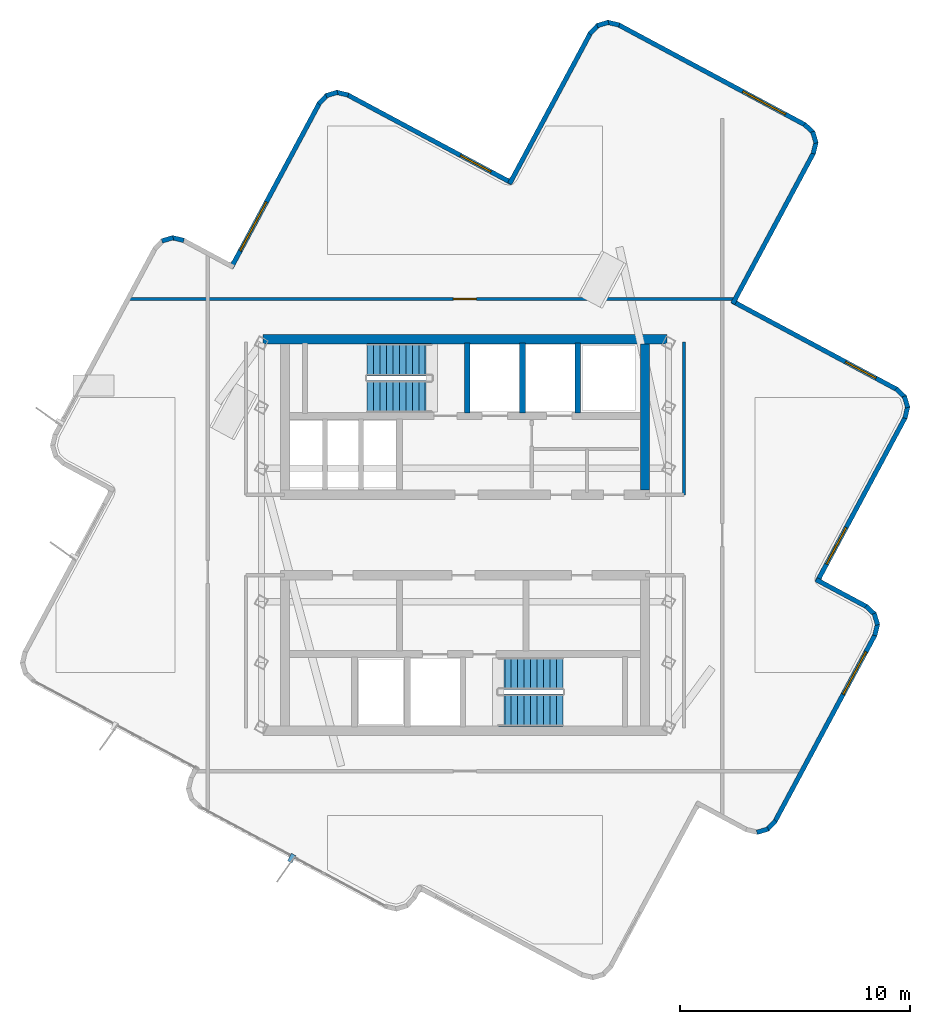
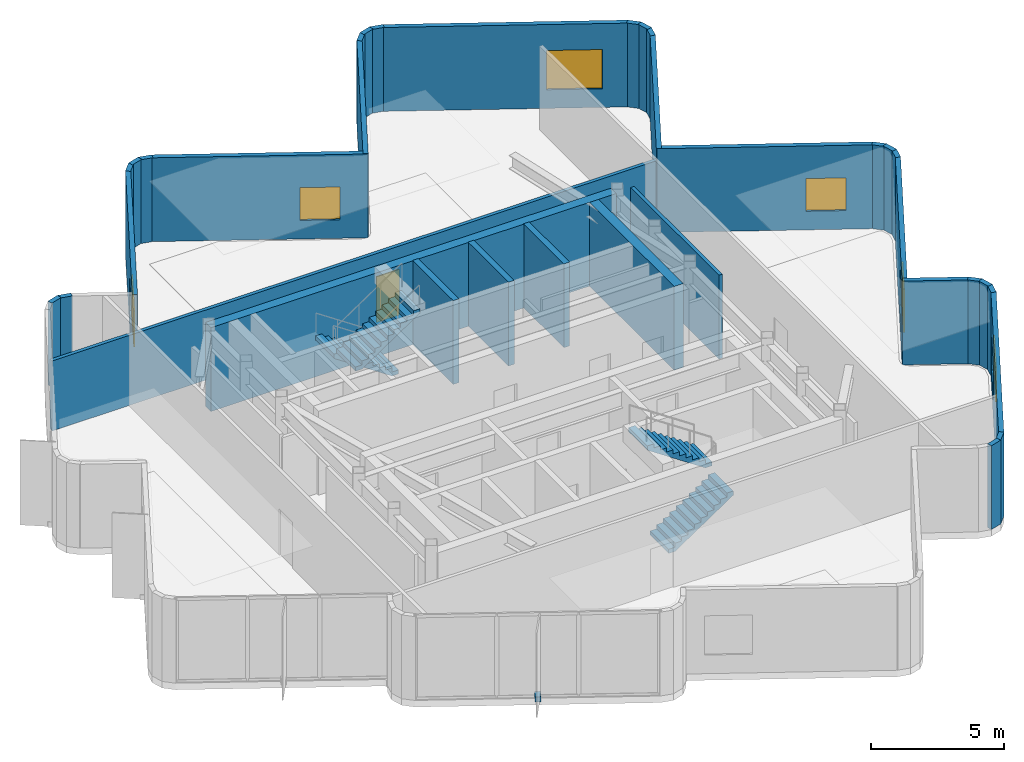
# One storey, part 5 of 9: 35 walls, 6 windows, 4 stair flights, 1 discrete accessory, 1 door, 7 openings, 2 elements without a shape of their own.
"""IFC4 building model written with IfcOpenShell, lengths in metres."""

from ifc_helpers import new_model, si_unit, direction, frame, frame_2d, origin, origin_2d, place, context, subcontext, project, spatial, polyline, rectangle, outline, extrude, material, layer, layer_set, type_object, element, fill, aggregate, save


model = new_model("IFC4")

# Units and contexts
model_context = context("Model", 3, precision=1e-05, world=origin(), true_north=direction((0.0, 1.0)))
body_context = subcontext(model_context, "Body", "Model", "MODEL_VIEW")
ifc_project = project(units=[si_unit("LENGTHUNIT", "METRE"), si_unit("AREAUNIT", "SQUARE_METRE"), si_unit("VOLUMEUNIT", "CUBIC_METRE"), si_unit("PLANEANGLEUNIT", "RADIAN"), si_unit("MASSUNIT", "GRAM", prefix="KILO")], contexts=[model_context])

# Site, building, storey
site_placement = place(None, origin())
site = spatial("IfcSite", under=ifc_project, at=site_placement, CompositionType="ELEMENT")
building_placement = place(site_placement, origin())
building = spatial("IfcBuilding", under=site, at=building_placement, Name="Solmarez Civic Tower", CompositionType="ELEMENT")
storey_placement = place(building_placement, frame((0.0, 0.0, 285.1201171875)))
storey = spatial("IfcBuildingStorey", under=building, at=storey_placement, Name="L77 Crown", CompositionType="ELEMENT", Elevation=285.1201171875)

# Walls
ifc_material_1 = material(Name="Concrete C50/60", Category="concrete")
ifc_layer_1 = layer(ifc_material_1, 0.39990234375)
ifc_layer_set_1 = layer_set([ifc_layer_1], Name="Concrete C50/60")
wall_type_1 = type_object("IfcWallType", Name="WALL-CORE-400", PredefinedType="SHEAR", material=ifc_layer_set_1)
wall_1_placement = place(storey_placement, frame((-8.780029296875, 8.510009765625, 0.0), z_axis=(0.0, 0.0, 1.0), x_axis=(1.0, 0.0, 0.0)))
element("IfcWall", 1, at=wall_1_placement, inside=storey, type_object=wall_type_1, Name="L77 Crown Split-Core Structural Wall NCW-N-L77 Crown", PredefinedType="SHEAR", context=body_context, shape_type="SweptSolid", body=[
    extrude(rectangle(XDim=17.56005859375, YDim=0.39990234375, at=frame_2d((8.780029296875, 0.0))), origin(), (0.0, 0.0, 1.0), 3.83984375),
])
wall_2_placement = place(storey_placement, frame((7.820068359375, 8.31005859375, 0.0), z_axis=(0.0, 0.0, 1.0), x_axis=(0.0, -1.0, 0.0)))
element("IfcWall", 2, at=wall_2_placement, inside=storey, type_object=wall_type_1, Name="L77 Crown Split-Core Structural Wall NCW-E-L77 Crown", PredefinedType="SHEAR", context=body_context, shape_type="SweptSolid", body=[
    extrude(rectangle(XDim=6.360107421875, YDim=0.39990234375, at=frame_2d((3.18017578125, 0.0))), origin(), (0.0, 0.0, 1.0), 3.83984375),
])
ifc_material_2 = material(Name="Precast concrete C40/50", Category="concrete")
ifc_layer_2 = layer(ifc_material_2, 0.199951171875)
ifc_layer_set_2 = layer_set([ifc_layer_2], Name="Precast concrete C40/50")
wall_type_2 = type_object("IfcWallType", Name="WALL-EXT-200", PredefinedType="SOLIDWALL", material=ifc_layer_set_2)
wall_3_placement = place(storey_placement, frame((-13.178955078125, 12.781005859375, 0.0), z_axis=(0.0, 0.0, 1.0), x_axis=(0.957629857582, 0.288001833099, 0.0)))
element("IfcWall", 3, at=wall_3_placement, inside=storey, type_object=wall_type_2, Name="L77 Crown Exterior Precast Wall 26", PredefinedType="SOLIDWALL", context=body_context, shape_type="SweptSolid", body=[
    extrude(rectangle(XDim=0.513671875, YDim=0.199951171875, at=frame_2d((0.2568359375, 0.0))), origin(), (0.0, 0.0, 1.0), 3.83984375),
])
wall_4_placement = place(storey_placement, frame((-12.735107421875, 12.927978515625, 0.0), z_axis=(0.0, 0.0, 1.0), x_axis=(0.973271233355, -0.229658673522, 0.0)))
element("IfcWall", 4, at=wall_4_placement, inside=storey, type_object=wall_type_2, Name="L77 Crown Exterior Precast Wall 27", PredefinedType="SOLIDWALL", context=body_context, shape_type="SweptSolid", body=[
    extrude(rectangle(XDim=0.52734375, YDim=0.199951171875, at=frame_2d((0.263671875, 0.0))), origin(), (0.0, 0.0, 1.0), 3.83984375),
])

# Wall, opening, window
wall_5_placement = place(storey_placement, frame((-10.1708984375, 11.60888671875, 0.0), z_axis=(0.0, 0.0, 1.0), x_axis=(0.472535281242, 0.881311754138, 0.0)))
wall_5 = element("IfcWall", 5, at=wall_5_placement, inside=storey, type_object=wall_type_2, Name="L77 Crown Exterior Precast Wall 31", PredefinedType="SOLIDWALL", context=body_context, shape_type="SweptSolid", body=[
    extrude(rectangle(XDim=8.136962890625, YDim=0.199951171875, at=frame_2d((4.068359375, 0.0))), origin(), (0.0, 0.0, 1.0), 3.83984375),
])
opening_1_placement = place(wall_5_placement, frame((0.85009765625, 0.0, 0.85009765625)))
opening_1 = element("IfcOpeningElement", 6, at=opening_1_placement, cuts=wall_5, Name="Opening W-10", PredefinedType="OPENING", context=body_context, shape_type="SweptSolid", body=[
    extrude(rectangle(XDim=2.39990234375, YDim=1.64990234375, at=frame_2d((1.199951171875, 0.824951171875))), frame((0.0, 0.10986328125, 0.0), z_axis=(0.0, -1.0, 0.0), x_axis=(1.0, 0.0, 0.0)), (0.0, 0.0, 1.0), 0.219970703125),
])
ifc_material_3 = material(Name="Solar Control Bronze-Tinted Insulating Glass", Category="glass")
window_type_1 = type_object("IfcWindowType", Name="WIN-2400X1650", PartitioningType="SINGLE_PANEL", PredefinedType="WINDOW", material=ifc_material_3)
window_1_placement = place(opening_1_placement, origin())
window_1 = element("IfcWindow", 7, at=window_1_placement, inside=storey, type_object=window_type_1, Name="L77 Crown Exterior Facade Window 31", OverallHeight=1.64990234375, OverallWidth=2.39990234375, PartitioningType="SINGLE_PANEL", PredefinedType="WINDOW", context=body_context, shape_type="SweptSolid", body=[
    extrude(rectangle(XDim=2.39990234375, YDim=1.64990234375, at=frame_2d((1.199951171875, 0.824951171875))), frame((0.0, 0.030029296875, 0.0), z_axis=(0.0, -1.0, 0.0), x_axis=(1.0, 0.0, 0.0)), (0.0, 0.0, 1.0), 0.06005859375),
])
fill(opening_1, window_1)

# Walls
wall_6_placement = place(storey_placement, frame((-6.35498046875, 18.739990234375, 0.0), z_axis=(0.0, 0.0, 1.0), x_axis=(0.684079586619, 0.72940737532, 0.0)))
element("IfcWall", 8, at=wall_6_placement, inside=storey, type_object=wall_type_2, Name="L77 Crown Exterior Precast Wall 32", PredefinedType="SOLIDWALL", context=body_context, shape_type="SweptSolid", body=[
    extrude(rectangle(XDim=0.52783203125, YDim=0.199951171875, at=frame_2d((0.263916015625, 0.0))), origin(), (0.0, 0.0, 1.0), 3.83984375),
])
wall_7_placement = place(storey_placement, frame((-6.034912109375, 19.10009765625, 0.0), z_axis=(0.0, 0.0, 1.0), x_axis=(0.957629857582, 0.288001833099, 0.0)))
element("IfcWall", 9, at=wall_7_placement, inside=storey, type_object=wall_type_2, Name="L77 Crown Exterior Precast Wall 33", PredefinedType="SOLIDWALL", context=body_context, shape_type="SweptSolid", body=[
    extrude(rectangle(XDim=0.513671875, YDim=0.199951171875, at=frame_2d((0.2568359375, 0.0))), origin(), (0.0, 0.0, 1.0), 3.83984375),
])
wall_8_placement = place(storey_placement, frame((-5.591064453125, 19.2470703125, 0.0), z_axis=(0.0, 0.0, 1.0), x_axis=(0.973271233355, -0.229658673522, 0.0)))
element("IfcWall", 10, at=wall_8_placement, inside=storey, type_object=wall_type_2, Name="L77 Crown Exterior Precast Wall 34", PredefinedType="SOLIDWALL", context=body_context, shape_type="SweptSolid", body=[
    extrude(rectangle(XDim=0.52734375, YDim=0.199951171875, at=frame_2d((0.263671875, 0.0))), origin(), (0.0, 0.0, 1.0), 3.83984375),
])

# Wall, opening, window
wall_9_placement = place(storey_placement, frame((-5.1240234375, 19.14404296875, 0.0), z_axis=(0.0, 0.0, 1.0), x_axis=(0.881261771031, -0.472628491439, 0.0)))
wall_9 = element("IfcWall", 11, at=wall_9_placement, inside=storey, type_object=wall_type_2, Name="L77 Crown Exterior Precast Wall 35", PredefinedType="SOLIDWALL", context=body_context, shape_type="SweptSolid", body=[
    extrude(rectangle(XDim=8.137451171875, YDim=0.199951171875, at=frame_2d((4.06884765625, 0.0))), origin(), (0.0, 0.0, 1.0), 3.83984375),
])
opening_2_placement = place(wall_9_placement, frame((5.596923828125, 0.0, 0.85009765625)))
opening_2 = element("IfcOpeningElement", 12, at=opening_2_placement, cuts=wall_9, Name="Opening W-14", PredefinedType="OPENING", context=body_context, shape_type="SweptSolid", body=[
    extrude(rectangle(XDim=1.5, YDim=1.5, at=frame_2d((0.75, 0.75))), frame((0.0, 0.10986328125, 0.0), z_axis=(0.0, -1.0, 0.0), x_axis=(1.0, 0.0, 0.0)), (0.0, 0.0, 1.0), 0.219970703125),
])
window_type_2 = type_object("IfcWindowType", Name="WIN-1500X1500", PartitioningType="SINGLE_PANEL", PredefinedType="WINDOW", material=ifc_material_3)
window_2_placement = place(opening_2_placement, origin())
window_2 = element("IfcWindow", 13, at=window_2_placement, inside=storey, type_object=window_type_2, Name="L77 Crown Exterior Facade Window 35", OverallHeight=1.5, OverallWidth=1.5, PartitioningType="SINGLE_PANEL", PredefinedType="WINDOW", context=body_context, shape_type="SweptSolid", body=[
    extrude(rectangle(XDim=1.5, YDim=1.5, at=frame_2d((0.75, 0.75))), frame((0.0, 0.030029296875, 0.0), z_axis=(0.0, -1.0, 0.0), x_axis=(1.0, 0.0, 0.0)), (0.0, 0.0, 1.0), 0.06005859375),
])
fill(opening_2, window_2)

# Walls
wall_10_placement = place(storey_placement, frame((1.93798828125, 15.26611328125, 0.0), z_axis=(0.0, 0.0, 1.0), x_axis=(0.472735695129, 0.881204268346, 0.0)))
element("IfcWall", 14, at=wall_10_placement, inside=storey, type_object=wall_type_2, Name="L77 Crown Exterior Precast Wall 38", PredefinedType="SOLIDWALL", context=body_context, shape_type="SweptSolid", body=[
    extrude(rectangle(XDim=7.44189453125, YDim=0.199951171875, at=frame_2d((3.720947265625, 0.0))), origin(), (0.0, 0.0, 1.0), 3.83984375),
])
wall_11_placement = place(storey_placement, frame((5.427001953125, 21.783935546875, 0.0), z_axis=(0.0, 0.0, 1.0), x_axis=(0.685003440267, 0.728539832008, 0.0)))
element("IfcWall", 15, at=wall_11_placement, inside=storey, type_object=wall_type_2, Name="L77 Crown Exterior Precast Wall 39", PredefinedType="SOLIDWALL", context=body_context, shape_type="SweptSolid", body=[
    extrude(rectangle(XDim=0.527099609375, YDim=0.199951171875, at=frame_2d((0.263671875, 0.0))), origin(), (0.0, 0.0, 1.0), 3.83984375),
])
wall_12_placement = place(storey_placement, frame((5.7470703125, 22.14306640625, 0.0), z_axis=(0.0, 0.0, 1.0), x_axis=(0.957104265458, 0.289743723042, 0.0)))
element("IfcWall", 16, at=wall_12_placement, inside=storey, type_object=wall_type_2, Name="L77 Crown Exterior Precast Wall 40", PredefinedType="SOLIDWALL", context=body_context, shape_type="SweptSolid", body=[
    extrude(rectangle(XDim=0.513916015625, YDim=0.199951171875, at=frame_2d((0.2568359375, 0.0))), origin(), (0.0, 0.0, 1.0), 3.83984375),
])
wall_13_placement = place(storey_placement, frame((6.19091796875, 22.291015625, 0.0), z_axis=(0.0, 0.0, 1.0), x_axis=(0.972855851544, -0.231411953269, 0.0)))
element("IfcWall", 17, at=wall_13_placement, inside=storey, type_object=wall_type_2, Name="L77 Crown Exterior Precast Wall 41", PredefinedType="SOLIDWALL", context=body_context, shape_type="SweptSolid", body=[
    extrude(rectangle(XDim=0.527587890625, YDim=0.199951171875, at=frame_2d((0.263671875, 0.0))), origin(), (0.0, 0.0, 1.0), 3.83984375),
])

# Wall, opening, window
wall_14_placement = place(storey_placement, frame((6.657958984375, 22.18701171875, 0.0), z_axis=(0.0, 0.0, 1.0), x_axis=(0.881325449165, -0.472509738158, 0.0)))
wall_14 = element("IfcWall", 18, at=wall_14_placement, inside=storey, type_object=wall_type_2, Name="L77 Crown Exterior Precast Wall 42", PredefinedType="SOLIDWALL", context=body_context, shape_type="SweptSolid", body=[
    extrude(rectangle(XDim=9.233642578125, YDim=0.199951171875, at=frame_2d((4.61669921875, 0.0))), origin(), (0.0, 0.0, 1.0), 3.83984375),
])
opening_3_placement = place(wall_14_placement, frame((6.152099609375, 0.0, 0.85009765625)))
opening_3 = element("IfcOpeningElement", 19, at=opening_3_placement, cuts=wall_14, Name="Opening W-07", PredefinedType="OPENING", context=body_context, shape_type="SweptSolid", body=[
    extrude(rectangle(XDim=2.10009765625, YDim=1.800048828125, at=frame_2d((1.050048828125, 0.89990234375))), frame((0.0, 0.10986328125, 0.0), z_axis=(0.0, -1.0, 0.0), x_axis=(1.0, 0.0, 0.0)), (0.0, 0.0, 1.0), 0.219970703125),
])
window_type_3 = type_object("IfcWindowType", Name="WIN-2100X1800", PartitioningType="SINGLE_PANEL", PredefinedType="WINDOW", material=ifc_material_3)
window_3_placement = place(opening_3_placement, origin())
window_3 = element("IfcWindow", 20, at=window_3_placement, inside=storey, type_object=window_type_3, Name="L77 Crown Exterior Facade Window 42", OverallHeight=1.800048828125, OverallWidth=2.10009765625, PartitioningType="SINGLE_PANEL", PredefinedType="WINDOW", context=body_context, shape_type="SweptSolid", body=[
    extrude(rectangle(XDim=2.10009765625, YDim=1.800048828125, at=frame_2d((1.050048828125, 0.89990234375))), frame((0.0, 0.030029296875, 0.0), z_axis=(0.0, -1.0, 0.0), x_axis=(1.0, 0.0, 0.0)), (0.0, 0.0, 1.0), 0.06005859375),
])
fill(opening_3, window_3)

# Walls
wall_15_placement = place(storey_placement, frame((14.756103515625, 17.85302734375, 0.0), z_axis=(0.0, 0.0, 1.0), x_axis=(0.728322396775, -0.685234621393, 0.0)))
element("IfcWall", 21, at=wall_15_placement, inside=storey, type_object=wall_type_2, Name="L77 Crown Exterior Precast Wall 43", PredefinedType="SOLIDWALL", context=body_context, shape_type="SweptSolid", body=[
    extrude(rectangle(XDim=0.52685546875, YDim=0.199951171875, at=frame_2d((0.263427734375, 0.0))), origin(), (0.0, 0.0, 1.0), 3.83984375),
])
wall_16_placement = place(storey_placement, frame((15.114990234375, 17.532958984375, 0.0), z_axis=(0.0, 0.0, 1.0), x_axis=(0.287478448092, -0.957787106763, 0.0)))
element("IfcWall", 22, at=wall_16_placement, inside=storey, type_object=wall_type_2, Name="L77 Crown Exterior Precast Wall 44", PredefinedType="SOLIDWALL", context=body_context, shape_type="SweptSolid", body=[
    extrude(rectangle(XDim=0.5146484375, YDim=0.199951171875, at=frame_2d((0.25732421875, 0.0))), origin(), (0.0, 0.0, 1.0), 3.83984375),
])
wall_17_placement = place(storey_placement, frame((15.261962890625, 17.087890625, 0.0), z_axis=(0.0, 0.0, 1.0), x_axis=(-0.22932336749, -0.973350293123, 0.0)))
element("IfcWall", 23, at=wall_17_placement, inside=storey, type_object=wall_type_2, Name="L77 Crown Exterior Precast Wall 45", PredefinedType="SOLIDWALL", context=body_context, shape_type="SweptSolid", body=[
    extrude(rectangle(XDim=0.527099609375, YDim=0.199951171875, at=frame_2d((0.263671875, 0.0))), origin(), (0.0, 0.0, 1.0), 3.83984375),
])
wall_18_placement = place(storey_placement, frame((15.158935546875, 16.62109375, 0.0), z_axis=(0.0, 0.0, 1.0), x_axis=(-0.472539992266, -0.881309228199, 0.0)))
element("IfcWall", 24, at=wall_18_placement, inside=storey, type_object=wall_type_2, Name="L77 Crown Exterior Precast Wall 46", PredefinedType="SOLIDWALL", context=body_context, shape_type="SweptSolid", body=[
    extrude(rectangle(XDim=7.4423828125, YDim=0.199951171875, at=frame_2d((3.72119140625, 0.0))), origin(), (0.0, 0.0, 1.0), 3.83984375),
])

# Wall, opening, window
wall_19_placement = place(storey_placement, frame((11.60888671875, 10.1708984375, 0.0), z_axis=(0.0, 0.0, 1.0), x_axis=(0.881311754138, -0.472535281242, 0.0)))
wall_19 = element("IfcWall", 25, at=wall_19_placement, inside=storey, type_object=wall_type_2, Name="L77 Crown Exterior Precast Wall 49", PredefinedType="SOLIDWALL", context=body_context, shape_type="SweptSolid", body=[
    extrude(rectangle(XDim=8.136962890625, YDim=0.199951171875, at=frame_2d((4.068359375, 0.0))), origin(), (0.0, 0.0, 1.0), 3.83984375),
])
opening_4_placement = place(wall_19_placement, frame((5.596923828125, 0.0, 0.85009765625)))
opening_4 = element("IfcOpeningElement", 26, at=opening_4_placement, cuts=wall_19, Name="Opening W-14", PredefinedType="OPENING", context=body_context, shape_type="SweptSolid", body=[
    extrude(rectangle(XDim=1.5, YDim=1.5, at=frame_2d((0.75, 0.75))), frame((0.0, 0.10986328125, 0.0), z_axis=(0.0, -1.0, 0.0), x_axis=(1.0, 0.0, 0.0)), (0.0, 0.0, 1.0), 0.219970703125),
])
window_4_placement = place(opening_4_placement, origin())
window_4 = element("IfcWindow", 27, at=window_4_placement, inside=storey, type_object=window_type_2, Name="L77 Crown Exterior Facade Window 49", OverallHeight=1.5, OverallWidth=1.5, PartitioningType="SINGLE_PANEL", PredefinedType="WINDOW", context=body_context, shape_type="SweptSolid", body=[
    extrude(rectangle(XDim=1.5, YDim=1.5, at=frame_2d((0.75, 0.75))), frame((0.0, 0.030029296875, 0.0), z_axis=(0.0, -1.0, 0.0), x_axis=(1.0, 0.0, 0.0)), (0.0, 0.0, 1.0), 0.06005859375),
])
fill(opening_4, window_4)

# Walls
wall_20_placement = place(storey_placement, frame((18.739990234375, 6.35498046875, 0.0), z_axis=(0.0, 0.0, 1.0), x_axis=(0.72940737532, -0.684079586619, 0.0)))
element("IfcWall", 28, at=wall_20_placement, inside=storey, type_object=wall_type_2, Name="L77 Crown Exterior Precast Wall 50", PredefinedType="SOLIDWALL", context=body_context, shape_type="SweptSolid", body=[
    extrude(rectangle(XDim=0.52783203125, YDim=0.199951171875, at=frame_2d((0.263916015625, 0.0))), origin(), (0.0, 0.0, 1.0), 3.83984375),
])
wall_21_placement = place(storey_placement, frame((19.10009765625, 6.034912109375, 0.0), z_axis=(0.0, 0.0, 1.0), x_axis=(0.288001833099, -0.957629857582, 0.0)))
element("IfcWall", 29, at=wall_21_placement, inside=storey, type_object=wall_type_2, Name="L77 Crown Exterior Precast Wall 51", PredefinedType="SOLIDWALL", context=body_context, shape_type="SweptSolid", body=[
    extrude(rectangle(XDim=0.513671875, YDim=0.199951171875, at=frame_2d((0.2568359375, 0.0))), origin(), (0.0, 0.0, 1.0), 3.83984375),
])
wall_22_placement = place(storey_placement, frame((19.2470703125, 5.591064453125, 0.0), z_axis=(0.0, 0.0, 1.0), x_axis=(-0.229658673522, -0.973271233355, 0.0)))
element("IfcWall", 30, at=wall_22_placement, inside=storey, type_object=wall_type_2, Name="L77 Crown Exterior Precast Wall 52", PredefinedType="SOLIDWALL", context=body_context, shape_type="SweptSolid", body=[
    extrude(rectangle(XDim=0.52734375, YDim=0.199951171875, at=frame_2d((0.263671875, 0.0))), origin(), (0.0, 0.0, 1.0), 3.83984375),
])

# Wall, opening, window
wall_23_placement = place(storey_placement, frame((19.14404296875, 5.1240234375, 0.0), z_axis=(0.0, 0.0, 1.0), x_axis=(-0.472628491439, -0.881261771031, 0.0)))
wall_23 = element("IfcWall", 31, at=wall_23_placement, inside=storey, type_object=wall_type_2, Name="L77 Crown Exterior Precast Wall 53", PredefinedType="SOLIDWALL", context=body_context, shape_type="SweptSolid", body=[
    extrude(rectangle(XDim=8.137451171875, YDim=0.199951171875, at=frame_2d((4.06884765625, 0.0))), origin(), (0.0, 0.0, 1.0), 3.83984375),
])
opening_5_placement = place(wall_23_placement, frame((5.447021484375, 0.0, 0.85009765625)))
opening_5 = element("IfcOpeningElement", 32, at=opening_5_placement, cuts=wall_23, Name="Opening W-04", PredefinedType="OPENING", context=body_context, shape_type="SweptSolid", body=[
    extrude(rectangle(XDim=1.800048828125, YDim=2.0, at=frame_2d((0.89990234375, 1.0))), frame((0.0, 0.10986328125, 0.0), z_axis=(0.0, -1.0, 0.0), x_axis=(1.0, 0.0, 0.0)), (0.0, 0.0, 1.0), 0.219970703125),
])
window_type_4 = type_object("IfcWindowType", Name="WIN-1800X2000", PartitioningType="SINGLE_PANEL", PredefinedType="WINDOW", material=ifc_material_3)
window_5_placement = place(opening_5_placement, origin())
window_5 = element("IfcWindow", 33, at=window_5_placement, inside=storey, type_object=window_type_4, Name="L77 Crown Exterior Facade Window 53", OverallHeight=2.0, OverallWidth=1.800048828125, PartitioningType="SINGLE_PANEL", PredefinedType="WINDOW", context=body_context, shape_type="SweptSolid", body=[
    extrude(rectangle(XDim=1.800048828125, YDim=2.0, at=frame_2d((0.89990234375, 1.0))), frame((0.0, 0.030029296875, 0.0), z_axis=(0.0, -1.0, 0.0), x_axis=(1.0, 0.0, 0.0)), (0.0, 0.0, 1.0), 0.06005859375),
])
fill(opening_5, window_5)

# Walls
wall_24_placement = place(storey_placement, frame((15.264892578125, -1.93798828125, 0.0), z_axis=(0.0, 0.0, 1.0), x_axis=(0.881265297533, -0.472621915875, 0.0)))
element("IfcWall", 34, at=wall_24_placement, inside=storey, type_object=wall_type_2, Name="L77 Crown Exterior Precast Wall 56", PredefinedType="SOLIDWALL", context=body_context, shape_type="SweptSolid", body=[
    extrude(rectangle(XDim=2.503173828125, YDim=0.199951171875, at=frame_2d((1.25146484375, 0.0))), origin(), (0.0, 0.0, 1.0), 3.83984375),
])
wall_25_placement = place(storey_placement, frame((17.430908203125, -3.092041015625, 0.0), z_axis=(0.0, 0.0, 1.0), x_axis=(0.728771001466, -0.684757495338, 0.0)))
element("IfcWall", 35, at=wall_25_placement, inside=storey, type_object=wall_type_2, Name="L77 Crown Exterior Precast Wall 57", PredefinedType="SOLIDWALL", context=body_context, shape_type="SweptSolid", body=[
    extrude(rectangle(XDim=0.52685546875, YDim=0.199951171875, at=frame_2d((0.263427734375, 0.0))), origin(), (0.0, 0.0, 1.0), 3.83984375),
])
wall_26_placement = place(storey_placement, frame((17.7900390625, -3.412109375, 0.0), z_axis=(0.0, 0.0, 1.0), x_axis=(0.287478448092, -0.957787106763, 0.0)))
element("IfcWall", 36, at=wall_26_placement, inside=storey, type_object=wall_type_2, Name="L77 Crown Exterior Precast Wall 58", PredefinedType="SOLIDWALL", context=body_context, shape_type="SweptSolid", body=[
    extrude(rectangle(XDim=0.5146484375, YDim=0.199951171875, at=frame_2d((0.25732421875, 0.0))), origin(), (0.0, 0.0, 1.0), 3.83984375),
])
wall_27_placement = place(storey_placement, frame((17.93701171875, -3.85693359375, 0.0), z_axis=(0.0, 0.0, 1.0), x_axis=(-0.229658673522, -0.973271233355, 0.0)))
element("IfcWall", 37, at=wall_27_placement, inside=storey, type_object=wall_type_2, Name="L77 Crown Exterior Precast Wall 59", PredefinedType="SOLIDWALL", context=body_context, shape_type="SweptSolid", body=[
    extrude(rectangle(XDim=0.52734375, YDim=0.199951171875, at=frame_2d((0.263671875, 0.0))), origin(), (0.0, 0.0, 1.0), 3.83984375),
])

# Wall, opening, window
wall_28_placement = place(storey_placement, frame((17.833984375, -4.323974609375, 0.0), z_axis=(0.0, 0.0, 1.0), x_axis=(-0.472635928498, -0.881257782429, 0.0)))
wall_28 = element("IfcWall", 38, at=wall_28_placement, inside=storey, type_object=wall_type_2, Name="L77 Crown Exterior Precast Wall 60", PredefinedType="SOLIDWALL", context=body_context, shape_type="SweptSolid", body=[
    extrude(rectangle(XDim=9.2333984375, YDim=0.199951171875, at=frame_2d((4.61669921875, 0.0))), origin(), (0.0, 0.0, 1.0), 3.83984375),
])
opening_6_placement = place(wall_28_placement, frame((0.85009765625, 0.0, 0.85009765625)))
opening_6 = element("IfcOpeningElement", 39, at=opening_6_placement, cuts=wall_28, Name="Opening W-11", PredefinedType="OPENING", context=body_context, shape_type="SweptSolid", body=[
    extrude(rectangle(XDim=2.10009765625, YDim=1.60009765625, at=frame_2d((1.050048828125, 0.800048828125))), frame((0.0, 0.10986328125, 0.0), z_axis=(0.0, -1.0, 0.0), x_axis=(1.0, 0.0, 0.0)), (0.0, 0.0, 1.0), 0.219970703125),
])
window_type_5 = type_object("IfcWindowType", Name="WIN-2100X1600", PartitioningType="SINGLE_PANEL", PredefinedType="WINDOW", material=ifc_material_3)
window_6_placement = place(opening_6_placement, origin())
window_6 = element("IfcWindow", 40, at=window_6_placement, inside=storey, type_object=window_type_5, Name="L77 Crown Exterior Facade Window 60", OverallHeight=1.60009765625, OverallWidth=2.10009765625, PartitioningType="SINGLE_PANEL", PredefinedType="WINDOW", context=body_context, shape_type="SweptSolid", body=[
    extrude(rectangle(XDim=2.10009765625, YDim=1.60009765625, at=frame_2d((1.050048828125, 0.800048828125))), frame((0.0, 0.030029296875, 0.0), z_axis=(0.0, -1.0, 0.0), x_axis=(1.0, 0.0, 0.0)), (0.0, 0.0, 1.0), 0.06005859375),
])
fill(opening_6, window_6)

# Walls
wall_29_placement = place(storey_placement, frame((13.4990234375, -12.4208984375, 0.0), z_axis=(0.0, 0.0, 1.0), x_axis=(-0.684079586619, -0.72940737532, 0.0)))
element("IfcWall", 41, at=wall_29_placement, inside=storey, type_object=wall_type_2, Name="L77 Crown Exterior Precast Wall 61", PredefinedType="SOLIDWALL", context=body_context, shape_type="SweptSolid", body=[
    extrude(rectangle(XDim=0.52783203125, YDim=0.199951171875, at=frame_2d((0.263916015625, 0.0))), origin(), (0.0, 0.0, 1.0), 3.83984375),
])
wall_30_placement = place(storey_placement, frame((13.178955078125, -12.781005859375, 0.0), z_axis=(0.0, 0.0, 1.0), x_axis=(-0.957629857582, -0.288001833099, 0.0)))
element("IfcWall", 42, at=wall_30_placement, inside=storey, type_object=wall_type_2, Name="L77 Crown Exterior Precast Wall 62", PredefinedType="SOLIDWALL", context=body_context, shape_type="SweptSolid", body=[
    extrude(rectangle(XDim=0.513671875, YDim=0.199951171875, at=frame_2d((0.2568359375, 0.0))), origin(), (0.0, 0.0, 1.0), 3.83984375),
])
ifc_material_4 = material(Name="Gypsum Board Acoustic Steel-Stud Partition", Category="steel")
ifc_layer_3 = layer(ifc_material_4, 0.14990234375)
ifc_layer_set_3 = layer_set([ifc_layer_3], Name="Gypsum Board Acoustic Steel-Stud Partition")
wall_type_3 = type_object("IfcWallType", Name="WALL-INT-FIRE-150", PredefinedType="PARTITIONING", material=ifc_layer_set_3)
wall_31_placement = place(storey_placement, frame((9.52001953125, 1.75, 0.0), z_axis=(0.0, 0.0, 1.0), x_axis=(0.0, 1.0, 0.0)))
element("IfcWall", 43, at=wall_31_placement, inside=storey, type_object=wall_type_3, Name="L77 Crown Interior Partition CHW-L77 Crown-EN1", PredefinedType="PARTITIONING", context=body_context, shape_type="SweptSolid", body=[
    extrude(rectangle(XDim=6.6298828125, YDim=0.14990234375, at=frame_2d((3.31494140625, 0.0))), origin(), (0.0, 0.0, 1.0), 3.83984375),
])

# Wall, opening, door
wall_32_placement = place(storey_placement, frame((-14.576904296875, 10.260009765625, 0.0), z_axis=(0.0, 0.0, 1.0), x_axis=(1.0, 0.0, 0.0)))
wall_32 = element("IfcWall", 44, at=wall_32_placement, inside=storey, type_object=wall_type_3, Name="L77 Crown Interior Partition PT-L77 Crown-N", PredefinedType="PARTITIONING", context=body_context, shape_type="SweptSolid", body=[
    extrude(rectangle(XDim=26.27783203125, YDim=0.14990234375, at=frame_2d((13.138916015625, 0.0))), origin(), (0.0, 0.0, 1.0), 3.2099609375),
])
opening_7_placement = place(wall_32_placement, frame((14.076904296875, 0.0, 0.0)))
opening_7 = element("IfcOpeningElement", 45, at=opening_7_placement, cuts=wall_32, Name="Opening D-04", PredefinedType="OPENING", context=body_context, shape_type="SweptSolid", body=[
    extrude(rectangle(XDim=1.0, YDim=2.10009765625, at=frame_2d((0.5, 1.050048828125))), frame((0.0, 0.0849609375, 0.0), z_axis=(0.0, -1.0, 0.0), x_axis=(1.0, 0.0, 0.0)), (0.0, 0.0, 1.0), 0.169921875),
])
ifc_material_5 = material(Name="Steel-Faced Acoustic Fire Door", Category="steel")
door_type = type_object("IfcDoorType", Name="DOOR-FD60-1000", OperationType="NOTDEFINED", PredefinedType="DOOR", material=ifc_material_5)
door_placement = place(opening_7_placement, origin())
door = element("IfcDoor", 46, at=door_placement, inside=storey, type_object=door_type, Name="L77 Crown Civic Reception Lounge Door", OperationType="SINGLE_SWING_RIGHT", OverallHeight=2.10009765625, OverallWidth=1.0, PredefinedType="DOOR", context=body_context, shape_type="SweptSolid", body=[
    extrude(rectangle(XDim=1.0, YDim=2.10009765625, at=frame_2d((0.5, 1.050048828125))), frame((0.0, 0.02490234375, 0.0), z_axis=(0.0, -1.0, 0.0), x_axis=(1.0, 0.0, 0.0)), (0.0, 0.0, 1.0), 0.050048828125),
])
fill(opening_7, door)

# Walls
ifc_layer_4 = layer(ifc_material_1, 0.300048828125)
ifc_layer_set_4 = layer_set([ifc_layer_4], Name="Concrete C50/60")
wall_type_4 = type_object("IfcWallType", Name="WALL-STR-300", PredefinedType="SOLIDWALL", material=ifc_layer_set_4)
for number, where, z_axis, x_axis, name in (
    (47, (0.10009765625, 5.300048828125, 0.0), (0.0, 0.0, 1.0), (0.0, 1.0, 0.0), "L77 Crown Split-Core Structural Wall SHW-N1-L77 Crown"),
    (48, (2.5, 5.300048828125, 0.0), (0.0, 0.0, 1.0), (0.0, 1.0, 0.0), "L77 Crown Split-Core Structural Wall SHW-N2-L77 Crown"),
    (49, (4.89990234375, 5.300048828125, 0.0), (0.0, 0.0, 1.0), (0.0, 1.0, 0.0), "L77 Crown Split-Core Structural Wall SHW-N3-L77 Crown"),
):
    element("IfcWall", number, at=place(storey_placement, frame(where, z_axis=z_axis, x_axis=x_axis)), inside=storey, type_object=wall_type_4, Name=name, PredefinedType="SOLIDWALL", context=body_context, shape_type="SweptSolid", body=[
        extrude(rectangle(XDim=3.0400390625, YDim=0.25, at=frame_2d((1.52001953125, 0.0))), origin(), (0.0, 0.0, 1.0), 3.83984375),
    ])

# Stair, stair flights
stair_type = type_object("IfcStairType", Name="STAIR-DOGLEG-140W-22R-1882", PredefinedType="HALF_TURN_STAIR", material=ifc_material_1)
stair_1_placement = place(storey_placement, origin())
stair_1 = element("IfcStair", 50, at=stair_1_placement, inside=storey, type_object=stair_type, Name="L77 Crown North Core Protected Exit Stair ST-1", PredefinedType="HALF_TURN_STAIR")
stair_flight_type = type_object("IfcStairFlightType", Name="FLIGHT-DOGLEG-140W-11R-1882", PredefinedType="STRAIGHT", material=ifc_material_1)
stair_flight_1_placement = place(storey_placement, frame((-1.449951171875, 7.6201171875, 0.0), z_axis=(0.0, 0.0, 1.0), x_axis=(-1.0, 0.0, 0.0)))
stair_flight_1 = element("IfcStairFlight", 51, at=stair_flight_1_placement, type_object=stair_flight_type, Name="ST-1 flight 1", NumberOfRisers=11, NumberOfTreads=10, PredefinedType="STRAIGHT", RiserHeight=0.188181818, TreadLength=0.28, context=body_context, shape_type="SweptSolid", body=[
    extrude(outline(polyline([(0.0, 0.0), (0.0, 0.188232421875), (0.280029296875, 0.188232421875), (0.280029296875, 0.37646484375), (0.56005859375, 0.37646484375), (0.56005859375, 0.564453125), (0.840087890625, 0.564453125), (0.840087890625, 0.752685546875), (1.1201171875, 0.752685546875), (1.1201171875, 0.94091796875), (1.39990234375, 0.94091796875), (1.39990234375, 1.129150390625), (1.679931640625, 1.129150390625), (1.679931640625, 1.3173828125), (1.9599609375, 1.3173828125), (1.9599609375, 1.50537109375), (2.239990234375, 1.50537109375), (2.239990234375, 1.693603515625), (2.52001953125, 1.693603515625), (2.52001953125, 1.8818359375), (2.800048828125, 1.8818359375), (2.800048828125, 2.070068359375), (2.800048828125, 1.689208984375), (0.28662109375, 0.0), (0.0, 0.0)])), frame((0.0, 0.699951171875, 0.0), z_axis=(0.0, -1.0, 0.0), x_axis=(1.0, 0.0, 0.0)), (0.0, 0.0, 1.0), 1.39990234375),
])
stair_flight_2_placement = place(storey_placement, frame((-4.25, 6.02001953125, 2.06982421875), z_axis=(0.0, 0.0, 1.0), x_axis=(1.0, 0.0, 0.0)))
stair_flight_2 = element("IfcStairFlight", 52, at=stair_flight_2_placement, type_object=stair_flight_type, Name="ST-1 flight 2", NumberOfRisers=11, NumberOfTreads=10, PredefinedType="STRAIGHT", RiserHeight=0.188181818, TreadLength=0.28, context=body_context, shape_type="SweptSolid", body=[
    extrude(outline(polyline([(0.0, 0.0), (0.0, 0.188232421875), (0.280029296875, 0.188232421875), (0.280029296875, 0.37646484375), (0.56005859375, 0.37646484375), (0.56005859375, 0.564453125), (0.840087890625, 0.564453125), (0.840087890625, 0.752685546875), (1.1201171875, 0.752685546875), (1.1201171875, 0.94091796875), (1.39990234375, 0.94091796875), (1.39990234375, 1.129150390625), (1.679931640625, 1.129150390625), (1.679931640625, 1.3173828125), (1.9599609375, 1.3173828125), (1.9599609375, 1.50537109375), (2.239990234375, 1.50537109375), (2.239990234375, 1.693603515625), (2.52001953125, 1.693603515625), (2.52001953125, 1.8818359375), (2.800048828125, 1.8818359375), (2.800048828125, 2.070068359375), (2.800048828125, 1.689208984375), (0.28662109375, 0.0), (0.0, 0.0)])), frame((0.0, 0.699951171875, 0.0), z_axis=(0.0, -1.0, 0.0), x_axis=(1.0, 0.0, 0.0)), (0.0, 0.0, 1.0), 1.39990234375),
])
aggregate(stair_1, [stair_flight_1, stair_flight_2])

stair_2_placement = place(storey_placement, origin())
stair_2 = element("IfcStair", 53, at=stair_2_placement, inside=storey, type_object=stair_type, Name="L77 Crown South Core Protected Exit Stair ST-2", PredefinedType="HALF_TURN_STAIR")
stair_flight_3_placement = place(storey_placement, frame((1.449951171875, -7.6201171875, 0.0), z_axis=(0.0, 0.0, 1.0), x_axis=(1.0, 0.0, 0.0)))
stair_flight_3 = element("IfcStairFlight", 54, at=stair_flight_3_placement, type_object=stair_flight_type, Name="ST-2 flight 1", NumberOfRisers=11, NumberOfTreads=10, PredefinedType="STRAIGHT", RiserHeight=0.188181818, TreadLength=0.28, context=body_context, shape_type="SweptSolid", body=[
    extrude(outline(polyline([(0.0, 0.0), (0.0, 0.188232421875), (0.280029296875, 0.188232421875), (0.280029296875, 0.37646484375), (0.56005859375, 0.37646484375), (0.56005859375, 0.564453125), (0.840087890625, 0.564453125), (0.840087890625, 0.752685546875), (1.1201171875, 0.752685546875), (1.1201171875, 0.94091796875), (1.39990234375, 0.94091796875), (1.39990234375, 1.129150390625), (1.679931640625, 1.129150390625), (1.679931640625, 1.3173828125), (1.9599609375, 1.3173828125), (1.9599609375, 1.50537109375), (2.239990234375, 1.50537109375), (2.239990234375, 1.693603515625), (2.52001953125, 1.693603515625), (2.52001953125, 1.8818359375), (2.800048828125, 1.8818359375), (2.800048828125, 2.070068359375), (2.800048828125, 1.689208984375), (0.28662109375, 0.0), (0.0, 0.0)])), frame((0.0, 0.699951171875, 0.0), z_axis=(0.0, -1.0, 0.0), x_axis=(1.0, 0.0, 0.0)), (0.0, 0.0, 1.0), 1.39990234375),
])
stair_flight_4_placement = place(storey_placement, frame((4.25, -6.02001953125, 2.06982421875), z_axis=(0.0, 0.0, 1.0), x_axis=(-1.0, 0.0, 0.0)))
stair_flight_4 = element("IfcStairFlight", 55, at=stair_flight_4_placement, type_object=stair_flight_type, Name="ST-2 flight 2", NumberOfRisers=11, NumberOfTreads=10, PredefinedType="STRAIGHT", RiserHeight=0.188181818, TreadLength=0.28, context=body_context, shape_type="SweptSolid", body=[
    extrude(outline(polyline([(0.0, 0.0), (0.0, 0.188232421875), (0.280029296875, 0.188232421875), (0.280029296875, 0.37646484375), (0.56005859375, 0.37646484375), (0.56005859375, 0.564453125), (0.840087890625, 0.564453125), (0.840087890625, 0.752685546875), (1.1201171875, 0.752685546875), (1.1201171875, 0.94091796875), (1.39990234375, 0.94091796875), (1.39990234375, 1.129150390625), (1.679931640625, 1.129150390625), (1.679931640625, 1.3173828125), (1.9599609375, 1.3173828125), (1.9599609375, 1.50537109375), (2.239990234375, 1.50537109375), (2.239990234375, 1.693603515625), (2.52001953125, 1.693603515625), (2.52001953125, 1.8818359375), (2.800048828125, 1.8818359375), (2.800048828125, 2.070068359375), (2.800048828125, 1.689208984375), (0.28662109375, 0.0), (0.0, 0.0)])), frame((0.0, 0.699951171875, 0.0), z_axis=(0.0, -1.0, 0.0), x_axis=(1.0, 0.0, 0.0)), (0.0, 0.0, 1.0), 1.39990234375),
])
aggregate(stair_2, [stair_flight_3, stair_flight_4])

# Discrete accessory
ifc_material_6 = material(Name="Stainless Steel Grade 1.4401", Category="steel")
discrete_accessory_type = type_object("IfcDiscreteAccessoryType", Name="BRACKET-SS-FIN", PredefinedType="BRACKET", material=ifc_material_6)
discrete_accessory_placement = place(storey_placement, frame((-7.531982421875, -14.048095703125, -0.06005859375), z_axis=(0.0, 0.0, 1.0), x_axis=(-0.472514519003, -0.881322885968, 0.0)))
element("IfcDiscreteAccessory", 56, at=discrete_accessory_placement, inside=storey, type_object=discrete_accessory_type, Name="L77 Crown Stainless Fin Support Bracket FIN-L77 Crown-01", PredefinedType="BRACKET", context=body_context, shape_type="SweptSolid", body=[
    extrude(rectangle(XDim=0.360107421875, YDim=0.219970703125, at=origin_2d()), origin(), (0.0, 0.0, 1.0), 0.239990234375),
])

save(model, "model.ifc")
